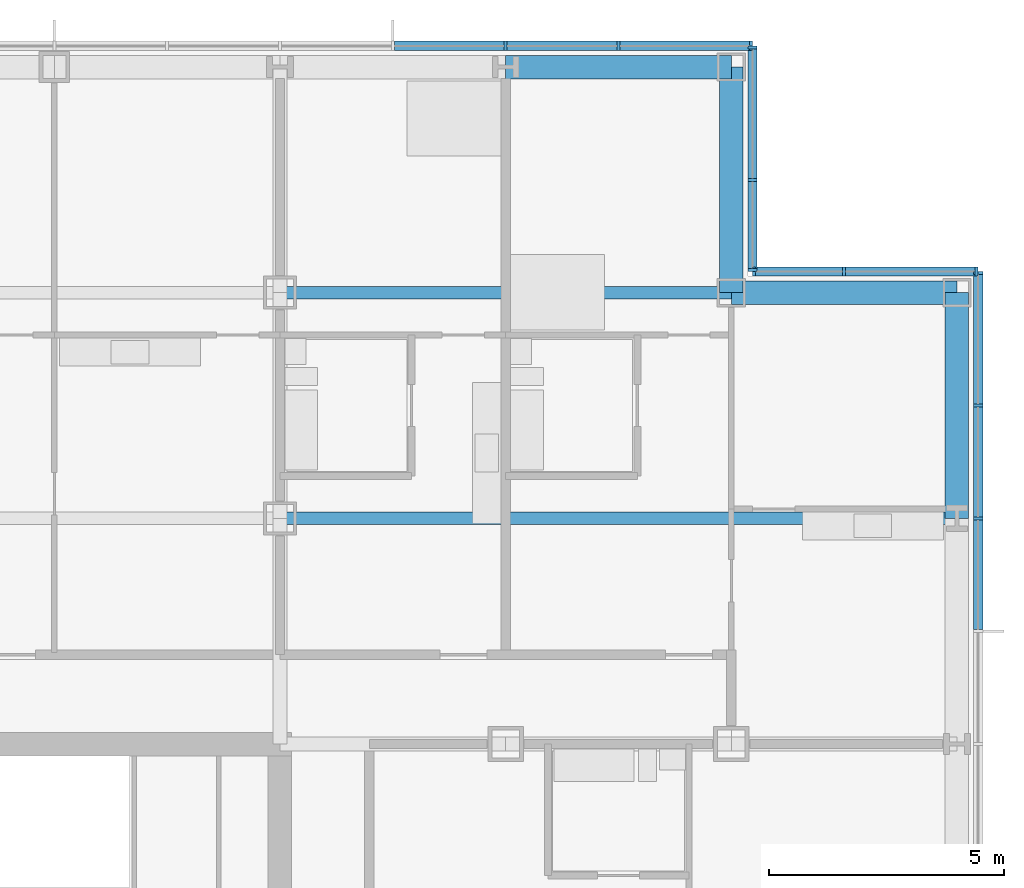
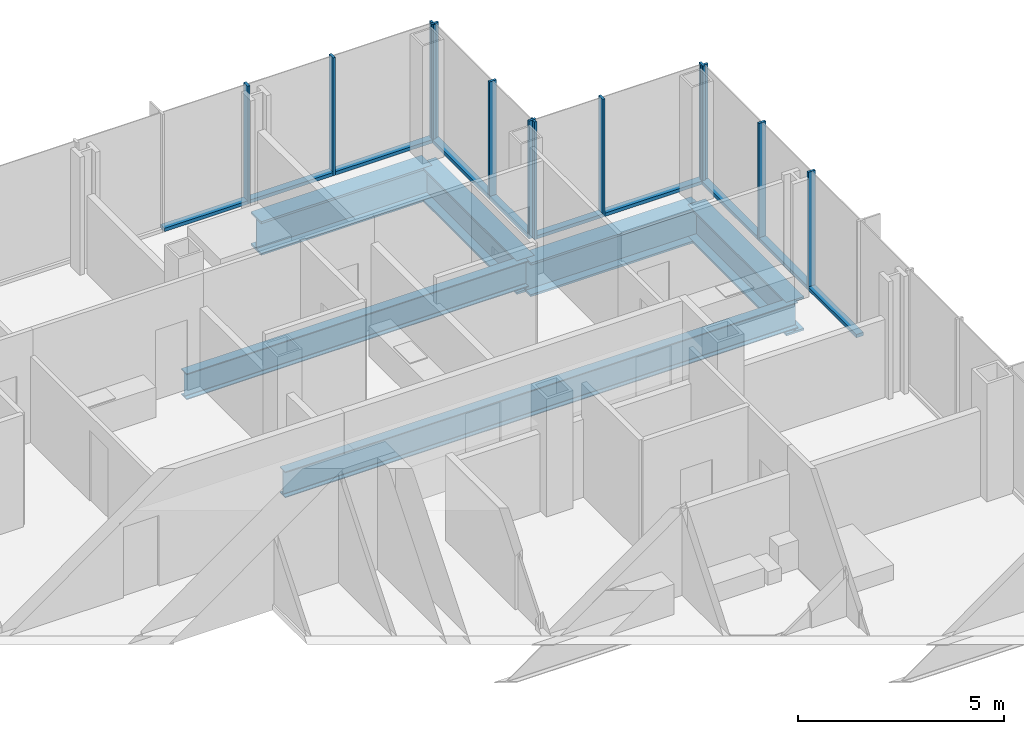
# One storey, part 11 of 21: 22 members, 6 beams, 4 elements without a shape of their own.
"""IFC4 building model written with IfcOpenShell, lengths in metres."""

from ifc_helpers import new_model, si_unit, direction, frame, origin, origin_2d, place, context, subcontext, project, spatial, rectangle, i_section, extrude, material, material_profile, profile_set, type_object, element, aggregate, save


model = new_model("IFC4")

# Units and contexts
model_context = context("Model", 3, precision=1e-05, world=origin(), true_north=direction((0.0, 1.0)))
body_context = subcontext(model_context, "Body", "Model", "MODEL_VIEW")
ifc_project = project(units=[si_unit("LENGTHUNIT", "METRE"), si_unit("AREAUNIT", "SQUARE_METRE"), si_unit("VOLUMEUNIT", "CUBIC_METRE"), si_unit("PLANEANGLEUNIT", "RADIAN"), si_unit("MASSUNIT", "GRAM", prefix="KILO")], contexts=[model_context])

# Site, building, storey
site_placement = place(None, origin())
site = spatial("IfcSite", under=ifc_project, at=site_placement, CompositionType="ELEMENT")
building_placement = place(site_placement, origin())
building = spatial("IfcBuilding", under=site, at=building_placement, Name="Kvirike Care Tower", CompositionType="ELEMENT")
storey_placement = place(building_placement, frame((0.0, 0.0, 34.0)))
storey = spatial("IfcBuildingStorey", under=building, at=storey_placement, Name="L08", CompositionType="ELEMENT", Elevation=34.0)

# Curtain wall, members
ifc_material_1 = material(Name="Anodised aluminium stick system", Category="aluminium")
curtain_wall_type = type_object("IfcCurtainWallType", Name="CW-A STICK CURTAIN WALL", PredefinedType="NOTDEFINED", material=ifc_material_1)
curtain_wall_1_placement = place(storey_placement, origin())
curtain_wall_1 = element("IfcCurtainWall", 1, at=curtain_wall_1_placement, inside=storey, type_object=curtain_wall_type, Name="Curtain wall L08 face 7", PredefinedType="NOTDEFINED")
ifc_material_2 = material(Name="Bronze anodised aluminium mullion", Category="aluminium")
ifc_material_profile_1 = material_profile(ifc_material_2, rectangle(XDim=0.06494140625, YDim=0.199951171875, at=origin_2d()), Name="CW-A MULLION 65x200")
ifc_profile_set_1 = profile_set([ifc_material_profile_1], Name="Bronze anodised aluminium mullion")
member_type_1 = type_object("IfcMemberType", Name="CW-A MULLION 65x200", PredefinedType="MULLION", material=ifc_profile_set_1)
member_1_placement = place(storey_placement, frame((43.64990234375, 48.0, 0.0), z_axis=(0.0, 0.0, 1.0), x_axis=(0.0, 1.0, 0.0)))
member_1 = element("IfcMember", 2, at=member_1_placement, type_object=member_type_1, Name="CW-A mullion L08 face 7.13", PredefinedType="MULLION", context=body_context, shape_type="SweptSolid", body=[
    extrude(rectangle(XDim=0.06494140625, YDim=0.199951171875, at=origin_2d()), origin(), (0.0, 0.0, 1.0), 3.5),
])
member_2_placement = place(storey_placement, frame((43.64990234375, 50.39990234375, 0.0), z_axis=(0.0, 0.0, 1.0), x_axis=(0.0, 1.0, 0.0)))
member_2 = element("IfcMember", 3, at=member_2_placement, type_object=member_type_1, Name="CW-A mullion L08 face 7.14", PredefinedType="MULLION", context=body_context, shape_type="SweptSolid", body=[
    extrude(rectangle(XDim=0.06494140625, YDim=0.199951171875, at=origin_2d()), origin(), (0.0, 0.0, 1.0), 3.5),
])
member_3_placement = place(storey_placement, frame((43.64990234375, 53.217529296875, 0.0), z_axis=(0.0, 0.0, 1.0), x_axis=(0.0, 1.0, 0.0)))
member_3 = element("IfcMember", 4, at=member_3_placement, type_object=member_type_1, Name="CW-A mullion L08 face 7.15", PredefinedType="MULLION", context=body_context, shape_type="SweptSolid", body=[
    extrude(rectangle(XDim=0.06494140625, YDim=0.199951171875, at=origin_2d()), origin(), (0.0, 0.0, 1.0), 3.5),
])

curtain_wall_2_placement = place(storey_placement, origin())
curtain_wall_2 = element("IfcCurtainWall", 5, at=curtain_wall_2_placement, inside=storey, type_object=curtain_wall_type, Name="Curtain wall L08 face 8", PredefinedType="NOTDEFINED")
member_4_placement = place(storey_placement, frame((43.617431640625, 53.25, 0.0), z_axis=(0.0, 0.0, 1.0), x_axis=(-1.0, 0.0, 0.0)))
member_4 = element("IfcMember", 6, at=member_4_placement, type_object=member_type_1, Name="CW-A mullion L08 face 8.1", PredefinedType="MULLION", context=body_context, shape_type="SweptSolid", body=[
    extrude(rectangle(XDim=0.06494140625, YDim=0.199951171875, at=origin_2d()), origin(), (0.0, 0.0, 1.0), 3.5),
])
member_5_placement = place(storey_placement, frame((40.800048828125, 53.25, 0.0), z_axis=(0.0, 0.0, 1.0), x_axis=(-1.0, 0.0, 0.0)))
member_5 = element("IfcMember", 7, at=member_5_placement, type_object=member_type_1, Name="CW-A mullion L08 face 8.2", PredefinedType="MULLION", context=body_context, shape_type="SweptSolid", body=[
    extrude(rectangle(XDim=0.06494140625, YDim=0.199951171875, at=origin_2d()), origin(), (0.0, 0.0, 1.0), 3.5),
])
member_6_placement = place(storey_placement, frame((38.882568359375, 53.25, 0.0), z_axis=(0.0, 0.0, 1.0), x_axis=(-1.0, 0.0, 0.0)))
member_6 = element("IfcMember", 8, at=member_6_placement, type_object=member_type_1, Name="CW-A mullion L08 face 8.3", PredefinedType="MULLION", context=body_context, shape_type="SweptSolid", body=[
    extrude(rectangle(XDim=0.06494140625, YDim=0.199951171875, at=origin_2d()), origin(), (0.0, 0.0, 1.0), 3.5),
])

curtain_wall_3_placement = place(storey_placement, origin())
curtain_wall_3 = element("IfcCurtainWall", 9, at=curtain_wall_3_placement, inside=storey, type_object=curtain_wall_type, Name="Curtain wall L08 face 9", PredefinedType="NOTDEFINED")
member_7_placement = place(storey_placement, frame((38.85009765625, 53.282470703125, 0.0), z_axis=(0.0, 0.0, 1.0), x_axis=(0.0, 1.0, 0.0)))
member_7 = element("IfcMember", 10, at=member_7_placement, type_object=member_type_1, Name="CW-A mullion L08 face 9.1", PredefinedType="MULLION", context=body_context, shape_type="SweptSolid", body=[
    extrude(rectangle(XDim=0.06494140625, YDim=0.199951171875, at=origin_2d()), origin(), (0.0, 0.0, 1.0), 3.5),
])
member_8_placement = place(storey_placement, frame((38.85009765625, 55.199951171875, 0.0), z_axis=(0.0, 0.0, 1.0), x_axis=(0.0, 1.0, 0.0)))
member_8 = element("IfcMember", 11, at=member_8_placement, type_object=member_type_1, Name="CW-A mullion L08 face 9.2", PredefinedType="MULLION", context=body_context, shape_type="SweptSolid", body=[
    extrude(rectangle(XDim=0.06494140625, YDim=0.199951171875, at=origin_2d()), origin(), (0.0, 0.0, 1.0), 3.5),
])
member_9_placement = place(storey_placement, frame((38.85009765625, 58.017578125, 0.0), z_axis=(0.0, 0.0, 1.0), x_axis=(0.0, 1.0, 0.0)))
member_9 = element("IfcMember", 12, at=member_9_placement, type_object=member_type_1, Name="CW-A mullion L08 face 9.3", PredefinedType="MULLION", context=body_context, shape_type="SweptSolid", body=[
    extrude(rectangle(XDim=0.06494140625, YDim=0.199951171875, at=origin_2d()), origin(), (0.0, 0.0, 1.0), 3.5),
])

curtain_wall_4_placement = place(storey_placement, origin())
curtain_wall_4 = element("IfcCurtainWall", 13, at=curtain_wall_4_placement, inside=storey, type_object=curtain_wall_type, Name="Curtain wall L08 face 10", PredefinedType="NOTDEFINED")
member_10_placement = place(storey_placement, frame((38.8173828125, 58.050048828125, 0.0), z_axis=(0.0, 0.0, 1.0), x_axis=(-1.0, 0.0, 0.0)))
member_10 = element("IfcMember", 14, at=member_10_placement, type_object=member_type_1, Name="CW-A mullion L08 face 10.1", PredefinedType="MULLION", context=body_context, shape_type="SweptSolid", body=[
    extrude(rectangle(XDim=0.06494140625, YDim=0.199951171875, at=origin_2d()), origin(), (0.0, 0.0, 1.0), 3.5),
])
member_11_placement = place(storey_placement, frame((36.0, 58.050048828125, 0.0), z_axis=(0.0, 0.0, 1.0), x_axis=(-1.0, 0.0, 0.0)))
member_11 = element("IfcMember", 15, at=member_11_placement, type_object=member_type_1, Name="CW-A mullion L08 face 10.2", PredefinedType="MULLION", context=body_context, shape_type="SweptSolid", body=[
    extrude(rectangle(XDim=0.06494140625, YDim=0.199951171875, at=origin_2d()), origin(), (0.0, 0.0, 1.0), 3.5),
])
member_12_placement = place(storey_placement, frame((33.60009765625, 58.050048828125, 0.0), z_axis=(0.0, 0.0, 1.0), x_axis=(-1.0, 0.0, 0.0)))
member_12 = element("IfcMember", 16, at=member_12_placement, type_object=member_type_1, Name="CW-A mullion L08 face 10.3", PredefinedType="MULLION", context=body_context, shape_type="SweptSolid", body=[
    extrude(rectangle(XDim=0.06494140625, YDim=0.199951171875, at=origin_2d()), origin(), (0.0, 0.0, 1.0), 3.5),
])

# Member
ifc_material_3 = material(Name="Bronze anodised aluminium transom", Category="aluminium")
ifc_material_profile_2 = material_profile(ifc_material_3, rectangle(XDim=0.199951171875, YDim=0.10009765625, at=origin_2d()), Name="CW-A TRANSOM 200x100")
ifc_profile_set_2 = profile_set([ifc_material_profile_2], Name="Bronze anodised aluminium transom")
member_type_2 = type_object("IfcMemberType", Name="CW-A TRANSOM 200x100", PredefinedType="USERDEFINED", material=ifc_profile_set_2)
member_13_placement = place(storey_placement, frame((43.64990234375, 45.632568359375, 0.050048828125), z_axis=(0.0, 1.0, 0.0), x_axis=(-1.0, 0.0, 0.0)))
member_13 = element("IfcMember", 17, at=member_13_placement, type_object=member_type_2, Name="CW-A sill transom L08 face 7.12", ObjectType="TRANSOM", PredefinedType="USERDEFINED", context=body_context, shape_type="SweptSolid", body=[
    extrude(rectangle(XDim=0.199951171875, YDim=0.10009765625, at=origin_2d()), origin(), (0.0, 0.0, 1.0), 2.3349609375),
])

member_14_placement = place(storey_placement, frame((43.64990234375, 48.032470703125, 0.050048828125), z_axis=(0.0, 1.0, 0.0), x_axis=(-1.0, 0.0, 0.0)))
member_14 = element("IfcMember", 18, at=member_14_placement, type_object=member_type_2, Name="CW-A sill transom L08 face 7.13", ObjectType="TRANSOM", PredefinedType="USERDEFINED", context=body_context, shape_type="SweptSolid", body=[
    extrude(rectangle(XDim=0.199951171875, YDim=0.10009765625, at=origin_2d()), origin(), (0.0, 0.0, 1.0), 2.3349609375),
])

member_15_placement = place(storey_placement, frame((43.64990234375, 50.4326171875, 0.050048828125), z_axis=(0.0, 1.0, 0.0), x_axis=(-1.0, 0.0, 0.0)))
member_15 = element("IfcMember", 19, at=member_15_placement, type_object=member_type_2, Name="CW-A sill transom L08 face 7.14", ObjectType="TRANSOM", PredefinedType="USERDEFINED", context=body_context, shape_type="SweptSolid", body=[
    extrude(rectangle(XDim=0.199951171875, YDim=0.10009765625, at=origin_2d()), origin(), (0.0, 0.0, 1.0), 2.75244140625),
])

aggregate(curtain_wall_1, [member_1, member_2, member_3, member_13, member_14, member_15])

member_16_placement = place(storey_placement, frame((43.5849609375, 53.25, 0.050048828125), z_axis=(-1.0, 0.0, 0.0), x_axis=(0.0, -1.0, 0.0)))
member_16 = element("IfcMember", 20, at=member_16_placement, type_object=member_type_2, Name="CW-A sill transom L08 face 8.1", ObjectType="TRANSOM", PredefinedType="USERDEFINED", context=body_context, shape_type="SweptSolid", body=[
    extrude(rectangle(XDim=0.199951171875, YDim=0.10009765625, at=origin_2d()), origin(), (0.0, 0.0, 1.0), 2.75244140625),
])

member_17_placement = place(storey_placement, frame((40.767578125, 53.25, 0.050048828125), z_axis=(-1.0, 0.0, 0.0), x_axis=(0.0, -1.0, 0.0)))
member_17 = element("IfcMember", 21, at=member_17_placement, type_object=member_type_2, Name="CW-A sill transom L08 face 8.2", ObjectType="TRANSOM", PredefinedType="USERDEFINED", context=body_context, shape_type="SweptSolid", body=[
    extrude(rectangle(XDim=0.199951171875, YDim=0.10009765625, at=origin_2d()), origin(), (0.0, 0.0, 1.0), 1.8525390625),
])

aggregate(curtain_wall_2, [member_4, member_5, member_6, member_16, member_17])

member_18_placement = place(storey_placement, frame((38.85009765625, 53.31494140625, 0.050048828125), z_axis=(0.0, 1.0, 0.0), x_axis=(-1.0, 0.0, 0.0)))
member_18 = element("IfcMember", 22, at=member_18_placement, type_object=member_type_2, Name="CW-A sill transom L08 face 9.1", ObjectType="TRANSOM", PredefinedType="USERDEFINED", context=body_context, shape_type="SweptSolid", body=[
    extrude(rectangle(XDim=0.199951171875, YDim=0.10009765625, at=origin_2d()), origin(), (0.0, 0.0, 1.0), 1.8525390625),
])

member_19_placement = place(storey_placement, frame((38.85009765625, 55.232421875, 0.050048828125), z_axis=(0.0, 1.0, 0.0), x_axis=(-1.0, 0.0, 0.0)))
member_19 = element("IfcMember", 23, at=member_19_placement, type_object=member_type_2, Name="CW-A sill transom L08 face 9.2", ObjectType="TRANSOM", PredefinedType="USERDEFINED", context=body_context, shape_type="SweptSolid", body=[
    extrude(rectangle(XDim=0.199951171875, YDim=0.10009765625, at=origin_2d()), origin(), (0.0, 0.0, 1.0), 2.752685546875),
])

aggregate(curtain_wall_3, [member_7, member_8, member_9, member_18, member_19])

member_20_placement = place(storey_placement, frame((38.784912109375, 58.050048828125, 0.050048828125), z_axis=(-1.0, 0.0, 0.0), x_axis=(0.0, -1.0, 0.0)))
member_20 = element("IfcMember", 24, at=member_20_placement, type_object=member_type_2, Name="CW-A sill transom L08 face 10.1", ObjectType="TRANSOM", PredefinedType="USERDEFINED", context=body_context, shape_type="SweptSolid", body=[
    extrude(rectangle(XDim=0.199951171875, YDim=0.10009765625, at=origin_2d()), origin(), (0.0, 0.0, 1.0), 2.75244140625),
])

member_21_placement = place(storey_placement, frame((35.967529296875, 58.050048828125, 0.050048828125), z_axis=(-1.0, 0.0, 0.0), x_axis=(0.0, -1.0, 0.0)))
member_21 = element("IfcMember", 25, at=member_21_placement, type_object=member_type_2, Name="CW-A sill transom L08 face 10.2", ObjectType="TRANSOM", PredefinedType="USERDEFINED", context=body_context, shape_type="SweptSolid", body=[
    extrude(rectangle(XDim=0.199951171875, YDim=0.10009765625, at=origin_2d()), origin(), (0.0, 0.0, 1.0), 2.3349609375),
])

member_22_placement = place(storey_placement, frame((33.5673828125, 58.050048828125, 0.050048828125), z_axis=(-1.0, 0.0, 0.0), x_axis=(0.0, -1.0, 0.0)))
member_22 = element("IfcMember", 26, at=member_22_placement, type_object=member_type_2, Name="CW-A sill transom L08 face 10.3", ObjectType="TRANSOM", PredefinedType="USERDEFINED", context=body_context, shape_type="SweptSolid", body=[
    extrude(rectangle(XDim=0.199951171875, YDim=0.10009765625, at=origin_2d()), origin(), (0.0, 0.0, 1.0), 2.3349609375),
])

aggregate(curtain_wall_4, [member_10, member_11, member_12, member_20, member_21, member_22])

# Beams
ifc_material_4 = material(Name="Steel S355", Category="steel")
ifc_material_profile_3 = material_profile(ifc_material_4, i_section(OverallWidth=0.26806640625, OverallDepth=0.77001953125, WebThickness=0.015625, FlangeThickness=0.025390625, FilletRadius=0.01708984375, at=origin_2d()), Name="IPE 750x196")
ifc_profile_set_3 = profile_set([ifc_material_profile_3], Name="Steel S355")
beam_type_1 = type_object("IfcBeamType", Name="FLOOR BEAM IPE 750x196", PredefinedType="BEAM", material=ifc_profile_set_3)
beam_1_placement = place(storey_placement, frame((28.800048828125, 48.0, -0.554931640625), z_axis=(1.0, 0.0, 0.0), x_axis=(0.0, 1.0, 0.0)))
element("IfcBeam", 27, at=beam_1_placement, inside=storey, type_object=beam_type_1, Name="Floor Beam L9-L12 L08", PredefinedType="BEAM", context=body_context, shape_type="SweptSolid", body=[
    extrude(i_section(OverallWidth=0.26806640625, OverallDepth=0.77001953125, WebThickness=0.015625, FlangeThickness=0.025390625, FilletRadius=0.01708984375, at=origin_2d()), origin(), (0.0, 0.0, 1.0), 14.39990234375),
])
beam_2_placement = place(storey_placement, frame((28.800048828125, 52.800048828125, -0.554931640625), z_axis=(1.0, 0.0, 0.0), x_axis=(0.0, 1.0, 0.0)))
element("IfcBeam", 28, at=beam_2_placement, inside=storey, type_object=beam_type_1, Name="Floor Beam M9-M11 L08", PredefinedType="BEAM", context=body_context, shape_type="SweptSolid", body=[
    extrude(i_section(OverallWidth=0.26806640625, OverallDepth=0.77001953125, WebThickness=0.015625, FlangeThickness=0.025390625, FilletRadius=0.01708984375, at=origin_2d()), origin(), (0.0, 0.0, 1.0), 9.599853515625),
])
ifc_material_5 = material(Name="Steel S355", Category="steel")
ifc_material_profile_4 = material_profile(ifc_material_5, i_section(OverallWidth=0.5, OverallDepth=1.0, WebThickness=0.030029296875, FlangeThickness=0.06005859375, at=origin_2d()), Name="PG 1000x500x30x60")
ifc_profile_set_4 = profile_set([ifc_material_profile_4], Name="Steel S355")
beam_type_2 = type_object("IfcBeamType", Name="SPANDREL PG 1000x500x30x60", PredefinedType="SPANDREL", material=ifc_profile_set_4)
beam_3_placement = place(storey_placement, frame((38.39990234375, 52.800048828125, -0.669921875), z_axis=(1.0, 0.0, 0.0), x_axis=(0.0, 1.0, 0.0)))
element("IfcBeam", 29, at=beam_3_placement, inside=storey, type_object=beam_type_2, Name="Spandrel M11-M12 L08", PredefinedType="SPANDREL", context=body_context, shape_type="SweptSolid", body=[
    extrude(i_section(OverallWidth=0.5, OverallDepth=1.0, WebThickness=0.030029296875, FlangeThickness=0.06005859375, at=origin_2d()), origin(), (0.0, 0.0, 1.0), 4.800048828125),
])
beam_4_placement = place(storey_placement, frame((33.60009765625, 57.60009765625, -0.669921875), z_axis=(1.0, 0.0, 0.0), x_axis=(0.0, 1.0, 0.0)))
element("IfcBeam", 30, at=beam_4_placement, inside=storey, type_object=beam_type_2, Name="Spandrel N10-N11 L08", PredefinedType="SPANDREL", context=body_context, shape_type="SweptSolid", body=[
    extrude(i_section(OverallWidth=0.5, OverallDepth=1.0, WebThickness=0.030029296875, FlangeThickness=0.06005859375, at=origin_2d()), origin(), (0.0, 0.0, 1.0), 4.7998046875),
])
for number, where, z_axis, x_axis, name in (
    (31, (38.39990234375, 52.800048828125, -0.669921875), (0.0, 1.0, 0.0), (-1.0, 0.0, 0.0), "Spandrel M11-N11 L08"),
    (32, (43.199951171875, 48.0, -0.669921875), (0.0, 1.0, 0.0), (-1.0, 0.0, 0.0), "Spandrel L12-M12 L08"),
):
    element("IfcBeam", number, at=place(storey_placement, frame(where, z_axis=z_axis, x_axis=x_axis)), inside=storey, type_object=beam_type_2, Name=name, PredefinedType="SPANDREL", context=body_context, shape_type="SweptSolid", body=[
        extrude(i_section(OverallWidth=0.5, OverallDepth=1.0, WebThickness=0.030029296875, FlangeThickness=0.06005859375, at=origin_2d()), origin(), (0.0, 0.0, 1.0), 4.800048828125),
    ])

save(model, "model.ifc")
